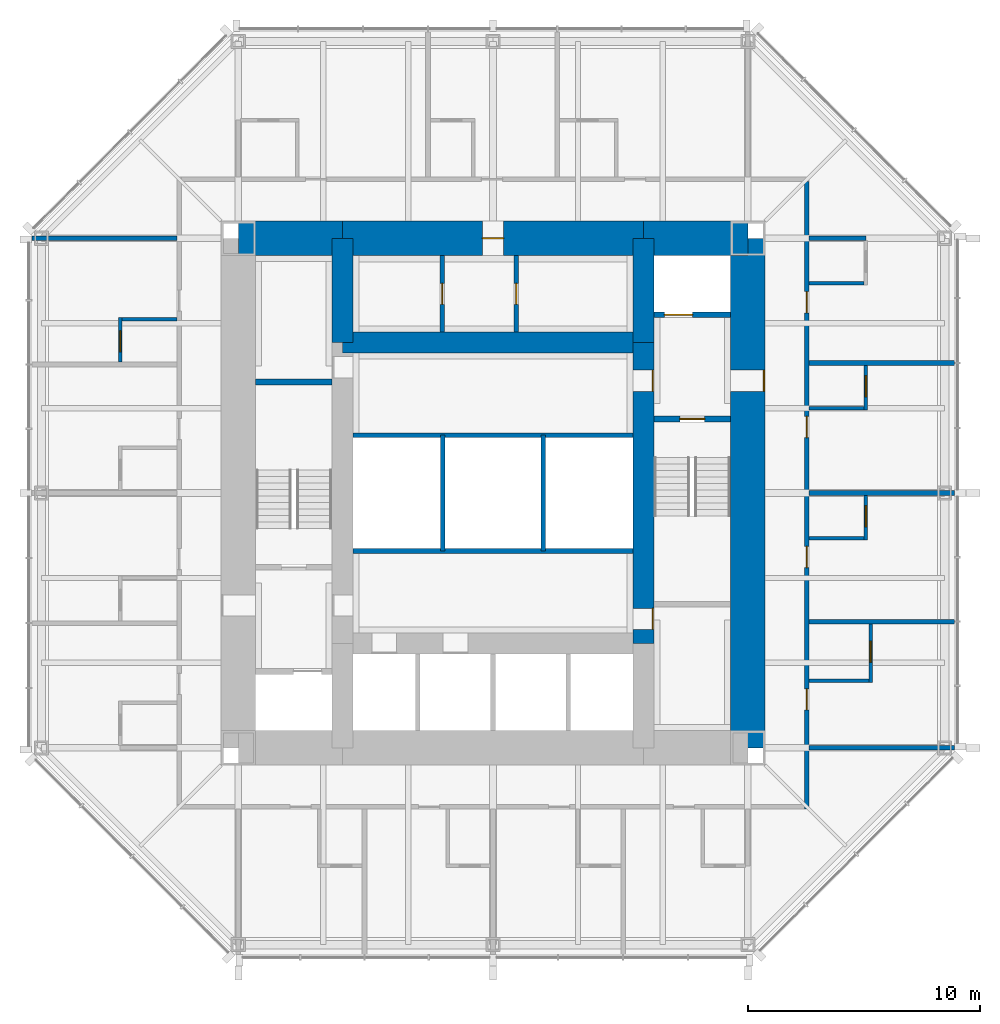
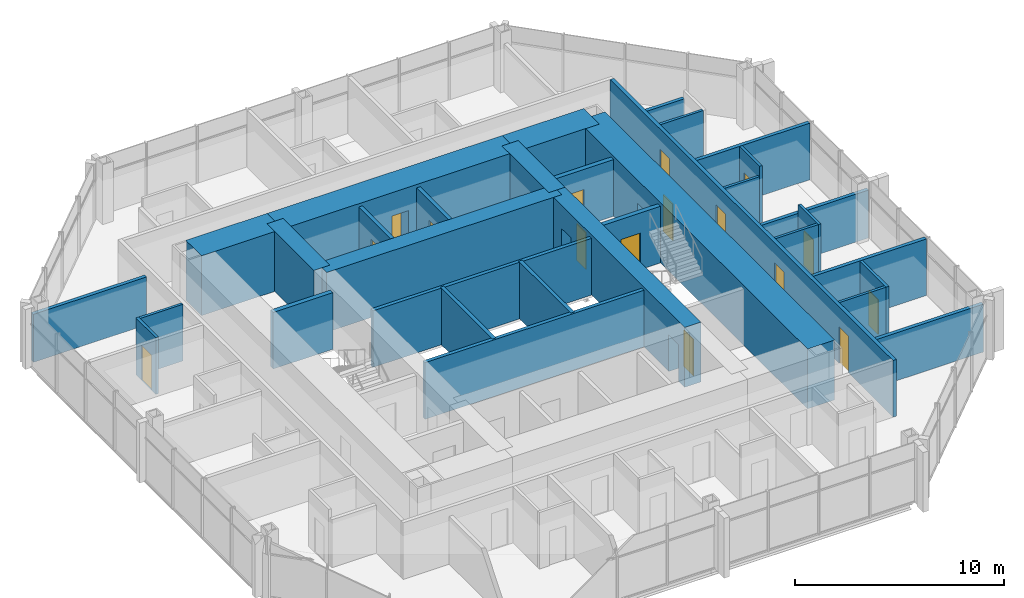
# One storey, part 9 of 12: 33 walls, 16 doors, 16 openings.
"""IFC4 building model written with IfcOpenShell, lengths in metres."""

from ifc_helpers import new_model, si_unit, direction, frame, frame_2d, origin, place, context, subcontext, project, spatial, rectangle, extrude, material, layer, layer_set, type_object, element, fill, save


model = new_model("IFC4")

# Units and contexts
model_context = context("Model", 3, precision=1e-05, world=origin(), true_north=direction((0.0, 1.0)))
body_context = subcontext(model_context, "Body", "Model", "MODEL_VIEW")
ifc_project = project(units=[si_unit("LENGTHUNIT", "METRE"), si_unit("AREAUNIT", "SQUARE_METRE"), si_unit("VOLUMEUNIT", "CUBIC_METRE"), si_unit("PLANEANGLEUNIT", "RADIAN"), si_unit("MASSUNIT", "GRAM", prefix="KILO")], contexts=[model_context])

# Site, building, storey
site_placement = place(None, origin())
site = spatial("IfcSite", under=ifc_project, at=site_placement, CompositionType="ELEMENT")
building_placement = place(site_placement, origin())
building = spatial("IfcBuilding", under=site, at=building_placement, Name="Trevanion Tower", CompositionType="ELEMENT")
storey_placement = place(building_placement, frame((0.0, 0.0, 204.699951171875)))
storey = spatial("IfcBuildingStorey", under=building, at=storey_placement, Name="L48", CompositionType="ELEMENT", Elevation=204.699951171875)

# Wall, opening, door
ifc_material_1 = material(Name="Concrete 10,000 psi", Category="concrete")
ifc_layer_1 = layer(ifc_material_1, 1.5)
ifc_layer_set_1 = layer_set([ifc_layer_1], Name="CW1 core wall 1500")
wall_type_1 = type_object("IfcWallType", Name="CW1 core wall 1500", PredefinedType="SHEAR", material=ifc_layer_set_1)
wall_1_placement = place(storey_placement, frame((11.0, -11.0, 0.0), z_axis=(0.0, 0.0, 1.0), x_axis=(0.0, 1.0, 0.0)))
wall_1 = element("IfcWall", 1, at=wall_1_placement, inside=storey, type_object=wall_type_1, Name="CW1 CE L48", PredefinedType="SHEAR", context=body_context, shape_type="SweptSolid", body=[
    extrude(rectangle(XDim=22.0, YDim=1.5, at=frame_2d((11.0, 0.0))), origin(), (0.0, 0.0, 1.0), 3.5),
])
opening_1_placement = place(wall_1_placement, frame((15.392578125, 0.0, 0.0)))
opening_1 = element("IfcOpeningElement", 2, at=opening_1_placement, cuts=wall_1, Name="Opening 48-001", PredefinedType="OPENING", context=body_context, shape_type="SweptSolid", body=[
    extrude(rectangle(XDim=0.9150390625, YDim=2.134033203125, at=frame_2d((0.45751953125, 1.06689453125))), frame((0.0, 0.760009765625, 0.0), z_axis=(0.0, -1.0, 0.0), x_axis=(1.0, 0.0, 0.0)), (0.0, 0.0, 1.0), 1.52001953125),
])
ifc_material_2 = material(Name="Hollow metal, fire rated", Category="steel")
door_type_1 = type_object("IfcDoorType", Name="D3 fire lift lobby door", OperationType="SINGLE_SWING_RIGHT", PredefinedType="DOOR", material=ifc_material_2)
door_1_placement = place(opening_1_placement, origin())
door_1 = element("IfcDoor", 3, at=door_1_placement, inside=storey, type_object=door_type_1, Name="Door 48-001", OperationType="SINGLE_SWING_RIGHT", OverallHeight=2.134033203125, OverallWidth=0.9150390625, PredefinedType="DOOR", context=body_context, shape_type="SweptSolid", body=[
    extrude(rectangle(XDim=0.9150390625, YDim=2.134033203125, at=frame_2d((0.45751953125, 1.06689453125))), frame((0.0, -0.6748046875, 0.0), z_axis=(0.0, -1.0, 0.0), x_axis=(1.0, 0.0, 0.0)), (0.0, 0.0, 1.0), 0.050048828125),
])
fill(opening_1, door_1)

# Wall
wall_2_placement = place(storey_placement, frame((11.0, 11.0, 0.0), z_axis=(0.0, 0.0, 1.0), x_axis=(-1.0, 0.0, 0.0)))
element("IfcWall", 4, at=wall_2_placement, inside=storey, type_object=wall_type_1, Name="CW1 CN1 L48", PredefinedType="SHEAR", context=body_context, shape_type="SweptSolid", body=[
    extrude(rectangle(XDim=4.5, YDim=1.5, at=frame_2d((2.25, 0.0))), origin(), (0.0, 0.0, 1.0), 3.5),
])

# Wall, opening, door
wall_3_placement = place(storey_placement, frame((6.5, 11.0, 0.0), z_axis=(0.0, 0.0, 1.0), x_axis=(-1.0, 0.0, 0.0)))
wall_3 = element("IfcWall", 5, at=wall_3_placement, inside=storey, type_object=wall_type_1, Name="CW1 CN2 L48", PredefinedType="SHEAR", context=body_context, shape_type="SweptSolid", body=[
    extrude(rectangle(XDim=13.0, YDim=1.5, at=frame_2d((6.5, 0.0))), origin(), (0.0, 0.0, 1.0), 3.5),
])
opening_2_placement = place(wall_3_placement, frame((6.04248046875, 0.0, 0.0)))
opening_2 = element("IfcOpeningElement", 6, at=opening_2_placement, cuts=wall_3, Name="Opening 48-013", PredefinedType="OPENING", context=body_context, shape_type="SweptSolid", body=[
    extrude(rectangle(XDim=0.9150390625, YDim=2.134033203125, at=frame_2d((0.45751953125, 1.06689453125))), frame((0.0, 0.760009765625, 0.0), z_axis=(0.0, -1.0, 0.0), x_axis=(1.0, 0.0, 0.0)), (0.0, 0.0, 1.0), 1.52001953125),
])
ifc_material_3 = material(Name="Hollow metal, fire rated", Category="steel")
door_type_2 = type_object("IfcDoorType", Name="D5 service room door", OperationType="SINGLE_SWING_RIGHT", PredefinedType="DOOR", material=ifc_material_3)
door_2_placement = place(opening_2_placement, origin())
door_2 = element("IfcDoor", 7, at=door_2_placement, inside=storey, type_object=door_type_2, Name="Door 48-013", OperationType="SINGLE_SWING_RIGHT", OverallHeight=2.134033203125, OverallWidth=0.9150390625, PredefinedType="DOOR", context=body_context, shape_type="SweptSolid", body=[
    extrude(rectangle(XDim=0.9150390625, YDim=2.134033203125, at=frame_2d((0.45751953125, 1.06689453125))), frame((0.0, 0.02490234375, 0.0), z_axis=(0.0, -1.0, 0.0), x_axis=(1.0, 0.0, 0.0)), (0.0, 0.0, 1.0), 0.050048828125),
])
fill(opening_2, door_2)

# Wall
wall_4_placement = place(storey_placement, frame((-6.5, 11.0, 0.0), z_axis=(0.0, 0.0, 1.0), x_axis=(-1.0, 0.0, 0.0)))
element("IfcWall", 8, at=wall_4_placement, inside=storey, type_object=wall_type_1, Name="CW1 CN3 L48", PredefinedType="SHEAR", context=body_context, shape_type="SweptSolid", body=[
    extrude(rectangle(XDim=4.5, YDim=1.5, at=frame_2d((2.25, 0.0))), origin(), (0.0, 0.0, 1.0), 3.5),
])

# Wall, openings, doors
ifc_material_4 = material(Name="Concrete 10,000 psi", Category="concrete")
ifc_layer_2 = layer(ifc_material_4, 0.89990234375)
ifc_layer_set_2 = layer_set([ifc_layer_2], Name="CW2 core wall 900")
wall_type_2 = type_object("IfcWallType", Name="CW2 core wall 900", PredefinedType="SHEAR", material=ifc_layer_set_2)
wall_5_placement = place(storey_placement, frame((6.5, -6.5, 0.0), z_axis=(0.0, 0.0, 1.0), x_axis=(0.0, 1.0, 0.0)))
wall_5 = element("IfcWall", 9, at=wall_5_placement, inside=storey, type_object=wall_type_2, Name="CW2 RE2 L48", PredefinedType="SHEAR", context=body_context, shape_type="SweptSolid", body=[
    extrude(rectangle(XDim=13.0, YDim=0.89990234375, at=frame_2d((6.5, 0.0))), origin(), (0.0, 0.0, 1.0), 3.5),
])
opening_3_placement = place(wall_5_placement, frame((10.892578125, 0.0, 0.0)))
opening_3 = element("IfcOpeningElement", 10, at=opening_3_placement, cuts=wall_5, Name="Opening 48-003", PredefinedType="OPENING", context=body_context, shape_type="SweptSolid", body=[
    extrude(rectangle(XDim=0.9150390625, YDim=2.134033203125, at=frame_2d((0.45751953125, 1.06689453125))), frame((0.0, 0.4599609375, 0.0), z_axis=(0.0, -1.0, 0.0), x_axis=(1.0, 0.0, 0.0)), (0.0, 0.0, 1.0), 0.919921875),
])
opening_4_placement = place(wall_5_placement, frame((0.610107421875, 0.0, 0.0)))
opening_4 = element("IfcOpeningElement", 11, at=opening_4_placement, cuts=wall_5, Name="Opening 48-009", PredefinedType="OPENING", context=body_context, shape_type="SweptSolid", body=[
    extrude(rectangle(XDim=0.9150390625, YDim=2.134033203125, at=frame_2d((0.45751953125, 1.06689453125))), frame((0.0, 0.4599609375, 0.0), z_axis=(0.0, -1.0, 0.0), x_axis=(1.0, 0.0, 0.0)), (0.0, 0.0, 1.0), 0.919921875),
])
door_3_placement = place(opening_3_placement, origin())
door_3 = element("IfcDoor", 12, at=door_3_placement, inside=storey, type_object=door_type_1, Name="Door 48-003", OperationType="SINGLE_SWING_RIGHT", OverallHeight=2.134033203125, OverallWidth=0.9150390625, PredefinedType="DOOR", context=body_context, shape_type="SweptSolid", body=[
    extrude(rectangle(XDim=0.9150390625, YDim=2.134033203125, at=frame_2d((0.45751953125, 1.06689453125))), frame((0.0, -0.375, 0.0), z_axis=(0.0, -1.0, 0.0), x_axis=(1.0, 0.0, 0.0)), (0.0, 0.0, 1.0), 0.050048828125),
])
fill(opening_3, door_3)
door_4_placement = place(opening_4_placement, origin())
door_4 = element("IfcDoor", 13, at=door_4_placement, inside=storey, type_object=door_type_2, Name="Door 48-009", OperationType="SINGLE_SWING_RIGHT", OverallHeight=2.134033203125, OverallWidth=0.9150390625, PredefinedType="DOOR", context=body_context, shape_type="SweptSolid", body=[
    extrude(rectangle(XDim=0.9150390625, YDim=2.134033203125, at=frame_2d((0.45751953125, 1.06689453125))), frame((0.0, -0.375, 0.0), z_axis=(0.0, -1.0, 0.0), x_axis=(1.0, 0.0, 0.0)), (0.0, 0.0, 1.0), 0.050048828125),
])
fill(opening_4, door_4)

# Walls
for number, where, z_axis, x_axis, name in (
    (14, (6.5, 6.5, 0.0), (0.0, 0.0, 1.0), (0.0, 1.0, 0.0), "CW2 RE3 L48"),
    (15, (-6.5, 11.0, 0.0), (0.0, 0.0, 1.0), (0.0, -1.0, 0.0), "CW2 RW1 L48"),
):
    element("IfcWall", number, at=place(storey_placement, frame(where, z_axis=z_axis, x_axis=x_axis)), inside=storey, type_object=wall_type_2, Name=name, PredefinedType="SHEAR", context=body_context, shape_type="SweptSolid", body=[
        extrude(rectangle(XDim=4.5, YDim=0.89990234375, at=frame_2d((2.25, 0.0))), origin(), (0.0, 0.0, 1.0), 3.5),
    ])
wall_6_placement = place(storey_placement, frame((6.5, 6.5, 0.0), z_axis=(0.0, 0.0, 1.0), x_axis=(-1.0, 0.0, 0.0)))
element("IfcWall", 16, at=wall_6_placement, inside=storey, type_object=wall_type_2, Name="CW2 RN L48", PredefinedType="SHEAR", context=body_context, shape_type="SweptSolid", body=[
    extrude(rectangle(XDim=13.0, YDim=0.89990234375, at=frame_2d((6.5, 0.0))), origin(), (0.0, 0.0, 1.0), 3.5),
])

# Wall, opening, door
ifc_material_5 = material(Name="Gypsum board on steel studs", Category="steel")
ifc_layer_3 = layer(ifc_material_5, 0.14990234375)
ifc_layer_set_3 = layer_set([ifc_layer_3], Name="PT1 partition 150")
wall_type_3 = type_object("IfcWallType", Name="PT1 partition 150", PredefinedType="PARTITIONING", material=ifc_layer_set_3)
wall_7_placement = place(storey_placement, frame((16.300048828125, -8.174072265625, 0.0), z_axis=(0.0, 0.0, 1.0), x_axis=(0.0, 1.0, 0.0)))
wall_7 = element("IfcWall", 17, at=wall_7_placement, inside=storey, type_object=wall_type_3, Name="PT1 L48 BA00", PredefinedType="PARTITIONING", context=body_context, shape_type="SweptSolid", body=[
    extrude(rectangle(XDim=2.525146484375, YDim=0.14990234375, at=frame_2d((1.2626953125, 0.0))), origin(), (0.0, 0.0, 1.0), 3.31005859375),
])
opening_5_placement = place(wall_7_placement, frame((0.867431640625, 0.0, 0.0)))
opening_5 = element("IfcOpeningElement", 18, at=opening_5_placement, cuts=wall_7, Name="Opening 48-016", PredefinedType="OPENING", context=body_context, shape_type="SweptSolid", body=[
    extrude(rectangle(XDim=0.9150390625, YDim=2.031982421875, at=frame_2d((0.45751953125, 1.01611328125))), frame((0.0, 0.0849609375, 0.0), z_axis=(0.0, -1.0, 0.0), x_axis=(1.0, 0.0, 0.0)), (0.0, 0.0, 1.0), 0.169921875),
])
ifc_material_6 = material(Name="Timber veneer", Category="wood")
door_type_3 = type_object("IfcDoorType", Name="D7 bathroom door", OperationType="SINGLE_SWING_LEFT", PredefinedType="DOOR", material=ifc_material_6)
door_5_placement = place(opening_5_placement, origin())
door_5 = element("IfcDoor", 19, at=door_5_placement, inside=storey, type_object=door_type_3, Name="Door 48-016", OperationType="SINGLE_SWING_LEFT", OverallHeight=2.031982421875, OverallWidth=0.9150390625, PredefinedType="DOOR", context=body_context, shape_type="SweptSolid", body=[
    extrude(rectangle(XDim=0.9150390625, YDim=2.031982421875, at=frame_2d((0.45751953125, 1.01611328125))), frame((0.0, 0.02490234375, 0.0), z_axis=(0.0, -1.0, 0.0), x_axis=(1.0, 0.0, 0.0)), (0.0, 0.0, 1.0), 0.050048828125),
])
fill(opening_5, door_5)

# Wall
wall_8_placement = place(storey_placement, frame((13.64990234375, -8.09912109375, 0.0), z_axis=(0.0, 0.0, 1.0), x_axis=(1.0, 0.0, 0.0)))
element("IfcWall", 20, at=wall_8_placement, inside=storey, type_object=wall_type_3, Name="PT1 L48 BB00", PredefinedType="PARTITIONING", context=body_context, shape_type="SweptSolid", body=[
    extrude(rectangle(XDim=2.5751953125, YDim=0.14990234375, at=frame_2d((1.28759765625, 0.0))), origin(), (0.0, 0.0, 1.0), 3.31005859375),
])

# Wall, opening, door
wall_9_placement = place(storey_placement, frame((16.10009765625, -2.02490234375, 0.0), z_axis=(0.0, 0.0, 1.0), x_axis=(0.0, 1.0, 0.0)))
wall_9 = element("IfcWall", 21, at=wall_9_placement, inside=storey, type_object=wall_type_3, Name="PT1 L48 BA01", PredefinedType="PARTITIONING", context=body_context, shape_type="SweptSolid", body=[
    extrude(rectangle(XDim=1.9248046875, YDim=0.14990234375, at=frame_2d((0.96240234375, 0.0))), origin(), (0.0, 0.0, 1.0), 3.31005859375),
])
opening_6_placement = place(wall_9_placement, frame((0.5673828125, 0.0, 0.0)))
opening_6 = element("IfcOpeningElement", 22, at=opening_6_placement, cuts=wall_9, Name="Opening 48-018", PredefinedType="OPENING", context=body_context, shape_type="SweptSolid", body=[
    extrude(rectangle(XDim=0.9150390625, YDim=2.031982421875, at=frame_2d((0.45751953125, 1.01611328125))), frame((0.0, 0.0849609375, 0.0), z_axis=(0.0, -1.0, 0.0), x_axis=(1.0, 0.0, 0.0)), (0.0, 0.0, 1.0), 0.169921875),
])
door_6_placement = place(opening_6_placement, origin())
door_6 = element("IfcDoor", 23, at=door_6_placement, inside=storey, type_object=door_type_3, Name="Door 48-018", OperationType="SINGLE_SWING_LEFT", OverallHeight=2.031982421875, OverallWidth=0.9150390625, PredefinedType="DOOR", context=body_context, shape_type="SweptSolid", body=[
    extrude(rectangle(XDim=0.9150390625, YDim=2.031982421875, at=frame_2d((0.45751953125, 1.01611328125))), frame((0.0, 0.02490234375, 0.0), z_axis=(0.0, -1.0, 0.0), x_axis=(1.0, 0.0, 0.0)), (0.0, 0.0, 1.0), 0.050048828125),
])
fill(opening_6, door_6)

# Wall
wall_10_placement = place(storey_placement, frame((13.64990234375, -1.949951171875, 0.0), z_axis=(0.0, 0.0, 1.0), x_axis=(1.0, 0.0, 0.0)))
element("IfcWall", 24, at=wall_10_placement, inside=storey, type_object=wall_type_3, Name="PT1 L48 BB01", PredefinedType="PARTITIONING", context=body_context, shape_type="SweptSolid", body=[
    extrude(rectangle(XDim=2.375, YDim=0.14990234375, at=frame_2d((1.1875, 0.0))), origin(), (0.0, 0.0, 1.0), 3.31005859375),
])

# Wall, opening, door
wall_11_placement = place(storey_placement, frame((16.10009765625, 3.589111328125, 0.0), z_axis=(0.0, 0.0, 1.0), x_axis=(0.0, 1.0, 0.0)))
wall_11 = element("IfcWall", 25, at=wall_11_placement, inside=storey, type_object=wall_type_3, Name="PT1 L48 BA02", PredefinedType="PARTITIONING", context=body_context, shape_type="SweptSolid", body=[
    extrude(rectangle(XDim=1.9248046875, YDim=0.14990234375, at=frame_2d((0.96240234375, 0.0))), origin(), (0.0, 0.0, 1.0), 3.31005859375),
])
opening_7_placement = place(wall_11_placement, frame((0.5673828125, 0.0, 0.0)))
opening_7 = element("IfcOpeningElement", 26, at=opening_7_placement, cuts=wall_11, Name="Opening 48-020", PredefinedType="OPENING", context=body_context, shape_type="SweptSolid", body=[
    extrude(rectangle(XDim=0.9150390625, YDim=2.031982421875, at=frame_2d((0.45751953125, 1.01611328125))), frame((0.0, 0.0849609375, 0.0), z_axis=(0.0, -1.0, 0.0), x_axis=(1.0, 0.0, 0.0)), (0.0, 0.0, 1.0), 0.169921875),
])
door_7_placement = place(opening_7_placement, origin())
door_7 = element("IfcDoor", 27, at=door_7_placement, inside=storey, type_object=door_type_3, Name="Door 48-020", OperationType="SINGLE_SWING_LEFT", OverallHeight=2.031982421875, OverallWidth=0.9150390625, PredefinedType="DOOR", context=body_context, shape_type="SweptSolid", body=[
    extrude(rectangle(XDim=0.9150390625, YDim=2.031982421875, at=frame_2d((0.45751953125, 1.01611328125))), frame((0.0, 0.02490234375, 0.0), z_axis=(0.0, -1.0, 0.0), x_axis=(1.0, 0.0, 0.0)), (0.0, 0.0, 1.0), 0.050048828125),
])
fill(opening_7, door_7)

# Walls
wall_12_placement = place(storey_placement, frame((13.64990234375, 3.6640625, 0.0), z_axis=(0.0, 0.0, 1.0), x_axis=(1.0, 0.0, 0.0)))
element("IfcWall", 28, at=wall_12_placement, inside=storey, type_object=wall_type_3, Name="PT1 L48 BB02", PredefinedType="PARTITIONING", context=body_context, shape_type="SweptSolid", body=[
    extrude(rectangle(XDim=2.375, YDim=0.14990234375, at=frame_2d((1.1875, 0.0))), origin(), (0.0, 0.0, 1.0), 2.703125),
])
wall_13_placement = place(storey_placement, frame((13.64990234375, 9.050048828125, 0.0), z_axis=(0.0, 0.0, 1.0), x_axis=(1.0, 0.0, 0.0)))
element("IfcWall", 29, at=wall_13_placement, inside=storey, type_object=wall_type_3, Name="PT1 L48 BB03", PredefinedType="PARTITIONING", context=body_context, shape_type="SweptSolid", body=[
    extrude(rectangle(XDim=2.375, YDim=0.14990234375, at=frame_2d((1.1875, 0.0))), origin(), (0.0, 0.0, 1.0), 3.31005859375),
])

# Wall, opening, door
wall_14_placement = place(storey_placement, frame((-16.10009765625, 7.573974609375, 0.0), z_axis=(0.0, 0.0, 1.0), x_axis=(0.0, -1.0, 0.0)))
wall_14 = element("IfcWall", 30, at=wall_14_placement, inside=storey, type_object=wall_type_3, Name="PT1 L48 BA20", PredefinedType="PARTITIONING", context=body_context, shape_type="SweptSolid", body=[
    extrude(rectangle(XDim=1.925048828125, YDim=0.14990234375, at=frame_2d((0.96240234375, 0.0))), origin(), (0.0, 0.0, 1.0), 3.31005859375),
])
opening_8_placement = place(wall_14_placement, frame((0.5673828125, 0.0, 0.0)))
opening_8 = element("IfcOpeningElement", 31, at=opening_8_placement, cuts=wall_14, Name="Opening 48-030", PredefinedType="OPENING", context=body_context, shape_type="SweptSolid", body=[
    extrude(rectangle(XDim=0.9150390625, YDim=2.031982421875, at=frame_2d((0.45751953125, 1.01611328125))), frame((0.0, 0.0849609375, 0.0), z_axis=(0.0, -1.0, 0.0), x_axis=(1.0, 0.0, 0.0)), (0.0, 0.0, 1.0), 0.169921875),
])
door_8_placement = place(opening_8_placement, origin())
door_8 = element("IfcDoor", 32, at=door_8_placement, inside=storey, type_object=door_type_3, Name="Door 48-030", OperationType="SINGLE_SWING_LEFT", OverallHeight=2.031982421875, OverallWidth=0.9150390625, PredefinedType="DOOR", context=body_context, shape_type="SweptSolid", body=[
    extrude(rectangle(XDim=0.9150390625, YDim=2.031982421875, at=frame_2d((0.45751953125, 1.01611328125))), frame((0.0, 0.02490234375, 0.0), z_axis=(0.0, -1.0, 0.0), x_axis=(1.0, 0.0, 0.0)), (0.0, 0.0, 1.0), 0.050048828125),
])
fill(opening_8, door_8)

# Walls
wall_15_placement = place(storey_placement, frame((-13.64990234375, 7.4990234375, 0.0), z_axis=(0.0, 0.0, 1.0), x_axis=(-1.0, 0.0, 0.0)))
element("IfcWall", 33, at=wall_15_placement, inside=storey, type_object=wall_type_3, Name="PT1 L48 BB20", PredefinedType="PARTITIONING", context=body_context, shape_type="SweptSolid", body=[
    extrude(rectangle(XDim=2.375, YDim=0.14990234375, at=frame_2d((1.1875, 0.0))), origin(), (0.0, 0.0, 1.0), 3.31005859375),
])
ifc_material_7 = material(Name="Concrete masonry, grouted", Category="masonry")
ifc_layer_4 = layer(ifc_material_7, 0.199951171875)
ifc_layer_set_4 = layer_set([ifc_layer_4], Name="PT2 partition 200 1 HR")
wall_type_4 = type_object("IfcWallType", Name="PT2 partition 200 1 HR", PredefinedType="PARTITIONING", material=ifc_layer_set_4)
for number, where, z_axis, x_axis, name in (
    (34, (-6.050048828125, 2.5, 0.0), (0.0, 0.0, 1.0), (1.0, 0.0, 0.0), "PT2 L48 CP1"),
    (35, (6.050048828125, -2.5, 0.0), (0.0, 0.0, 1.0), (-1.0, 0.0, 0.0), "PT2 L48 CP2"),
):
    element("IfcWall", number, at=place(storey_placement, frame(where, z_axis=z_axis, x_axis=x_axis)), inside=storey, type_object=wall_type_4, Name=name, PredefinedType="PARTITIONING", context=body_context, shape_type="SweptSolid", body=[
        extrude(rectangle(XDim=12.10009765625, YDim=0.199951171875, at=frame_2d((6.050048828125, 0.0))), origin(), (0.0, 0.0, 1.0), 3.31005859375),
    ])

# Wall, opening, door
wall_16_placement = place(storey_placement, frame((-2.199951171875, 6.949951171875, 0.0), z_axis=(0.0, 0.0, 1.0), x_axis=(0.0, 1.0, 0.0)))
wall_16 = element("IfcWall", 36, at=wall_16_placement, inside=storey, type_object=wall_type_4, Name="PT2 L48 HKP1", PredefinedType="PARTITIONING", context=body_context, shape_type="SweptSolid", body=[
    extrude(rectangle(XDim=3.300048828125, YDim=0.199951171875, at=frame_2d((1.64990234375, 0.0))), origin(), (0.0, 0.0, 1.0), 3.31005859375),
])
opening_9_placement = place(wall_16_placement, frame((1.1923828125, 0.0, 0.0)))
opening_9 = element("IfcOpeningElement", 37, at=opening_9_placement, cuts=wall_16, Name="Opening 48-014", PredefinedType="OPENING", context=body_context, shape_type="SweptSolid", body=[
    extrude(rectangle(XDim=0.9150390625, YDim=2.134033203125, at=frame_2d((0.45751953125, 1.06689453125))), frame((0.0, 0.10986328125, 0.0), z_axis=(0.0, -1.0, 0.0), x_axis=(1.0, 0.0, 0.0)), (0.0, 0.0, 1.0), 0.219970703125),
])
door_9_placement = place(opening_9_placement, origin())
door_9 = element("IfcDoor", 38, at=door_9_placement, inside=storey, type_object=door_type_2, Name="Door 48-014", OperationType="SINGLE_SWING_RIGHT", OverallHeight=2.134033203125, OverallWidth=0.9150390625, PredefinedType="DOOR", context=body_context, shape_type="SweptSolid", body=[
    extrude(rectangle(XDim=0.9150390625, YDim=2.134033203125, at=frame_2d((0.45751953125, 1.06689453125))), frame((0.0, 0.02490234375, 0.0), z_axis=(0.0, -1.0, 0.0), x_axis=(1.0, 0.0, 0.0)), (0.0, 0.0, 1.0), 0.050048828125),
])
fill(opening_9, door_9)

wall_17_placement = place(storey_placement, frame((1.0, 6.949951171875, 0.0), z_axis=(0.0, 0.0, 1.0), x_axis=(0.0, 1.0, 0.0)))
wall_17 = element("IfcWall", 39, at=wall_17_placement, inside=storey, type_object=wall_type_4, Name="PT2 L48 HKP2", PredefinedType="PARTITIONING", context=body_context, shape_type="SweptSolid", body=[
    extrude(rectangle(XDim=3.300048828125, YDim=0.199951171875, at=frame_2d((1.64990234375, 0.0))), origin(), (0.0, 0.0, 1.0), 3.31005859375),
])
opening_10_placement = place(wall_17_placement, frame((1.1923828125, 0.0, 0.0)))
opening_10 = element("IfcOpeningElement", 40, at=opening_10_placement, cuts=wall_17, Name="Opening 48-015", PredefinedType="OPENING", context=body_context, shape_type="SweptSolid", body=[
    extrude(rectangle(XDim=0.9150390625, YDim=2.134033203125, at=frame_2d((0.45751953125, 1.06689453125))), frame((0.0, 0.10986328125, 0.0), z_axis=(0.0, -1.0, 0.0), x_axis=(1.0, 0.0, 0.0)), (0.0, 0.0, 1.0), 0.219970703125),
])
door_10_placement = place(opening_10_placement, origin())
door_10 = element("IfcDoor", 41, at=door_10_placement, inside=storey, type_object=door_type_2, Name="Door 48-015", OperationType="SINGLE_SWING_RIGHT", OverallHeight=2.134033203125, OverallWidth=0.9150390625, PredefinedType="DOOR", context=body_context, shape_type="SweptSolid", body=[
    extrude(rectangle(XDim=0.9150390625, YDim=2.134033203125, at=frame_2d((0.45751953125, 1.06689453125))), frame((0.0, 0.02490234375, 0.0), z_axis=(0.0, -1.0, 0.0), x_axis=(1.0, 0.0, 0.0)), (0.0, 0.0, 1.0), 0.050048828125),
])
fill(opening_10, door_10)

# Wall, openings, doors
wall_18_placement = place(storey_placement, frame((13.550048828125, -13.64990234375, 0.0), z_axis=(0.0, 0.0, 1.0), x_axis=(0.0, 1.0, 0.0)))
wall_18 = element("IfcWall", 42, at=wall_18_placement, inside=storey, type_object=wall_type_4, Name="PT2 L48 HC0", PredefinedType="PARTITIONING", context=body_context, shape_type="SweptSolid", body=[
    extrude(rectangle(XDim=27.099853515625, YDim=0.199951171875, at=frame_2d((13.5498046875, 0.0))), origin(), (0.0, 0.0, 1.0), 3.31005859375),
])
opening_11_placement = place(wall_18_placement, frame((4.283447265625, 0.0, 0.0)))
opening_11 = element("IfcOpeningElement", 43, at=opening_11_placement, cuts=wall_18, Name="Opening 48-017", PredefinedType="OPENING", context=body_context, shape_type="SweptSolid", body=[
    extrude(rectangle(XDim=0.9150390625, YDim=2.134033203125, at=frame_2d((0.45751953125, 1.06689453125))), frame((0.0, 0.10986328125, 0.0), z_axis=(0.0, -1.0, 0.0), x_axis=(1.0, 0.0, 0.0)), (0.0, 0.0, 1.0), 0.219970703125),
])
opening_12_placement = place(wall_18_placement, frame((10.4326171875, 0.0, 0.0)))
opening_12 = element("IfcOpeningElement", 44, at=opening_12_placement, cuts=wall_18, Name="Opening 48-019", PredefinedType="OPENING", context=body_context, shape_type="SweptSolid", body=[
    extrude(rectangle(XDim=0.9150390625, YDim=2.134033203125, at=frame_2d((0.45751953125, 1.06689453125))), frame((0.0, 0.10986328125, 0.0), z_axis=(0.0, -1.0, 0.0), x_axis=(1.0, 0.0, 0.0)), (0.0, 0.0, 1.0), 0.219970703125),
])
opening_13_placement = place(wall_18_placement, frame((16.04638671875, 0.0, 0.0)))
opening_13 = element("IfcOpeningElement", 45, at=opening_13_placement, cuts=wall_18, Name="Opening 48-021", PredefinedType="OPENING", context=body_context, shape_type="SweptSolid", body=[
    extrude(rectangle(XDim=0.9150390625, YDim=2.134033203125, at=frame_2d((0.45751953125, 1.06689453125))), frame((0.0, 0.10986328125, 0.0), z_axis=(0.0, -1.0, 0.0), x_axis=(1.0, 0.0, 0.0)), (0.0, 0.0, 1.0), 0.219970703125),
])
opening_14_placement = place(wall_18_placement, frame((21.4326171875, 0.0, 0.0)))
opening_14 = element("IfcOpeningElement", 46, at=opening_14_placement, cuts=wall_18, Name="Opening 48-023", PredefinedType="OPENING", context=body_context, shape_type="SweptSolid", body=[
    extrude(rectangle(XDim=0.9150390625, YDim=2.134033203125, at=frame_2d((0.45751953125, 1.06689453125))), frame((0.0, 0.10986328125, 0.0), z_axis=(0.0, -1.0, 0.0), x_axis=(1.0, 0.0, 0.0)), (0.0, 0.0, 1.0), 0.219970703125),
])
ifc_material_8 = material(Name="Timber veneer, fire rated", Category="wood")
door_type_4 = type_object("IfcDoorType", Name="D6 guest room entrance door", OperationType="SINGLE_SWING_LEFT", PredefinedType="DOOR", material=ifc_material_8)
door_11_placement = place(opening_11_placement, origin())
door_11 = element("IfcDoor", 47, at=door_11_placement, inside=storey, type_object=door_type_4, Name="Door 48-017", OperationType="SINGLE_SWING_LEFT", OverallHeight=2.134033203125, OverallWidth=0.9150390625, PredefinedType="DOOR", context=body_context, shape_type="SweptSolid", body=[
    extrude(rectangle(XDim=0.9150390625, YDim=2.134033203125, at=frame_2d((0.45751953125, 1.06689453125))), frame((0.0, 0.02490234375, 0.0), z_axis=(0.0, -1.0, 0.0), x_axis=(1.0, 0.0, 0.0)), (0.0, 0.0, 1.0), 0.050048828125),
])
fill(opening_11, door_11)
door_12_placement = place(opening_12_placement, origin())
door_12 = element("IfcDoor", 48, at=door_12_placement, inside=storey, type_object=door_type_4, Name="Door 48-019", OperationType="SINGLE_SWING_LEFT", OverallHeight=2.134033203125, OverallWidth=0.9150390625, PredefinedType="DOOR", context=body_context, shape_type="SweptSolid", body=[
    extrude(rectangle(XDim=0.9150390625, YDim=2.134033203125, at=frame_2d((0.45751953125, 1.06689453125))), frame((0.0, 0.02490234375, 0.0), z_axis=(0.0, -1.0, 0.0), x_axis=(1.0, 0.0, 0.0)), (0.0, 0.0, 1.0), 0.050048828125),
])
fill(opening_12, door_12)
door_13_placement = place(opening_13_placement, origin())
door_13 = element("IfcDoor", 49, at=door_13_placement, inside=storey, type_object=door_type_4, Name="Door 48-021", OperationType="SINGLE_SWING_LEFT", OverallHeight=2.134033203125, OverallWidth=0.9150390625, PredefinedType="DOOR", context=body_context, shape_type="SweptSolid", body=[
    extrude(rectangle(XDim=0.9150390625, YDim=2.134033203125, at=frame_2d((0.45751953125, 1.06689453125))), frame((0.0, 0.02490234375, 0.0), z_axis=(0.0, -1.0, 0.0), x_axis=(1.0, 0.0, 0.0)), (0.0, 0.0, 1.0), 0.050048828125),
])
fill(opening_13, door_13)
door_14_placement = place(opening_14_placement, origin())
door_14 = element("IfcDoor", 50, at=door_14_placement, inside=storey, type_object=door_type_4, Name="Door 48-023", OperationType="SINGLE_SWING_LEFT", OverallHeight=2.134033203125, OverallWidth=0.9150390625, PredefinedType="DOOR", context=body_context, shape_type="SweptSolid", body=[
    extrude(rectangle(XDim=0.9150390625, YDim=2.134033203125, at=frame_2d((0.45751953125, 1.06689453125))), frame((0.0, 0.02490234375, 0.0), z_axis=(0.0, -1.0, 0.0), x_axis=(1.0, 0.0, 0.0)), (0.0, 0.0, 1.0), 0.050048828125),
])
fill(opening_14, door_14)

# Walls
wall_19_placement = place(storey_placement, frame((13.64990234375, -11.0, 0.0), z_axis=(0.0, 0.0, 1.0), x_axis=(1.0, 0.0, 0.0)))
element("IfcWall", 51, at=wall_19_placement, inside=storey, type_object=wall_type_4, Name="PT2 L48 HD00", PredefinedType="PARTITIONING", context=body_context, shape_type="SweptSolid", body=[
    extrude(rectangle(XDim=6.26513671875, YDim=0.199951171875, at=frame_2d((3.132568359375, 0.0))), origin(), (0.0, 0.0, 1.0), 2.802001953125),
])
wall_20_placement = place(storey_placement, frame((13.64990234375, -5.549072265625, 0.0), z_axis=(0.0, 0.0, 1.0), x_axis=(1.0, 0.0, 0.0)))
element("IfcWall", 52, at=wall_20_placement, inside=storey, type_object=wall_type_4, Name="PT2 L48 HD01", PredefinedType="PARTITIONING", context=body_context, shape_type="SweptSolid", body=[
    extrude(rectangle(XDim=6.26513671875, YDim=0.199951171875, at=frame_2d((3.132568359375, 0.0))), origin(), (0.0, 0.0, 1.0), 3.31005859375),
])
wall_21_placement = place(storey_placement, frame((13.64990234375, 0.0, 0.0), z_axis=(0.0, 0.0, 1.0), x_axis=(1.0, 0.0, 0.0)))
element("IfcWall", 53, at=wall_21_placement, inside=storey, type_object=wall_type_4, Name="PT2 L48 HD02", PredefinedType="PARTITIONING", context=body_context, shape_type="SweptSolid", body=[
    extrude(rectangle(XDim=6.26513671875, YDim=0.199951171875, at=frame_2d((3.132568359375, 0.0))), origin(), (0.0, 0.0, 1.0), 2.802001953125),
])
wall_22_placement = place(storey_placement, frame((13.64990234375, 5.614013671875, 0.0), z_axis=(0.0, 0.0, 1.0), x_axis=(1.0, 0.0, 0.0)))
element("IfcWall", 54, at=wall_22_placement, inside=storey, type_object=wall_type_4, Name="PT2 L48 HD03", PredefinedType="PARTITIONING", context=body_context, shape_type="SweptSolid", body=[
    extrude(rectangle(XDim=6.26513671875, YDim=0.199951171875, at=frame_2d((3.132568359375, 0.0))), origin(), (0.0, 0.0, 1.0), 3.31005859375),
])
wall_23_placement = place(storey_placement, frame((13.64990234375, 11.0, 0.0), z_axis=(0.0, 0.0, 1.0), x_axis=(1.0, 0.0, 0.0)))
element("IfcWall", 55, at=wall_23_placement, inside=storey, type_object=wall_type_4, Name="PT2 L48 BC03", PredefinedType="PARTITIONING", context=body_context, shape_type="SweptSolid", body=[
    extrude(rectangle(XDim=2.4501953125, YDim=0.199951171875, at=frame_2d((1.22509765625, 0.0))), origin(), (0.0, 0.0, 1.0), 2.802001953125),
])
wall_24_placement = place(storey_placement, frame((-13.64990234375, 11.0, 0.0), z_axis=(0.0, 0.0, 1.0), x_axis=(-1.0, 0.0, 0.0)))
element("IfcWall", 56, at=wall_24_placement, inside=storey, type_object=wall_type_4, Name="PT2 L48 HD20", PredefinedType="PARTITIONING", context=body_context, shape_type="SweptSolid", body=[
    extrude(rectangle(XDim=6.26513671875, YDim=0.199951171875, at=frame_2d((3.132568359375, 0.0))), origin(), (0.0, 0.0, 1.0), 2.802001953125),
])
ifc_material_9 = material(Name="Concrete masonry, grouted", Category="masonry")
ifc_layer_5 = layer(ifc_material_9, 0.199951171875)
ifc_layer_set_5 = layer_set([ifc_layer_5], Name="PT2 partition 200 2 HR")
wall_type_5 = type_object("IfcWallType", Name="PT2 partition 200 2 HR", PredefinedType="PARTITIONING", material=ifc_layer_set_5)
for number, where, z_axis, x_axis, name in (
    (57, (-2.166748046875, -2.5, 0.0), (0.0, 0.0, 1.0), (0.0, 1.0, 0.0), "PT2 L48 MS0"),
    (58, (2.166748046875, -2.5, 0.0), (0.0, 0.0, 1.0), (0.0, 1.0, 0.0), "PT2 L48 MS1"),
):
    element("IfcWall", number, at=place(storey_placement, frame(where, z_axis=z_axis, x_axis=x_axis)), inside=storey, type_object=wall_type_5, Name=name, PredefinedType="PARTITIONING", context=body_context, shape_type="SweptSolid", body=[
        extrude(rectangle(XDim=5.0, YDim=0.199951171875, at=frame_2d((2.5, 0.0))), origin(), (0.0, 0.0, 1.0), 3.31005859375),
    ])

# Wall, opening, door
ifc_material_10 = material(Name="Concrete masonry, grouted, two-hour", Category="masonry")
ifc_layer_6 = layer(ifc_material_10, 0.25)
ifc_layer_set_6 = layer_set([ifc_layer_6], Name="PT3 partition 250 2 HR")
wall_type_6 = type_object("IfcWallType", Name="PT3 partition 250 2 HR", PredefinedType="PARTITIONING", material=ifc_layer_set_6)
wall_25_placement = place(storey_placement, frame((6.949951171875, 7.699951171875, 0.0), z_axis=(0.0, 0.0, 1.0), x_axis=(1.0, 0.0, 0.0)))
wall_25 = element("IfcWall", 59, at=wall_25_placement, inside=storey, type_object=wall_type_6, Name="PT3 L48 EP3", PredefinedType="PARTITIONING", context=body_context, shape_type="SweptSolid", body=[
    extrude(rectangle(XDim=3.300048828125, YDim=0.25, at=frame_2d((1.64990234375, 0.0))), origin(), (0.0, 0.0, 1.0), 3.31005859375),
])
opening_15_placement = place(wall_25_placement, frame((0.449951171875, 0.0, 0.0)))
opening_15 = element("IfcOpeningElement", 60, at=opening_15_placement, cuts=wall_25, Name="Opening 48-007", PredefinedType="OPENING", context=body_context, shape_type="SweptSolid", body=[
    extrude(rectangle(XDim=1.218994140625, YDim=2.134033203125, at=frame_2d((0.609375, 1.06689453125))), frame((0.0, 0.135009765625, 0.0), z_axis=(0.0, -1.0, 0.0), x_axis=(1.0, 0.0, 0.0)), (0.0, 0.0, 1.0), 0.27001953125),
])
ifc_material_11 = material(Name="Stainless steel, fire rated", Category="steel")
door_type_5 = type_object("IfcDoorType", Name="LD2 fire service lift landing door", OperationType="SLIDING_TO_LEFT", PredefinedType="DOOR", material=ifc_material_11)
door_15_placement = place(opening_15_placement, origin())
door_15 = element("IfcDoor", 61, at=door_15_placement, inside=storey, type_object=door_type_5, Name="Door 48-007", OperationType="SLIDING_TO_LEFT", OverallHeight=2.134033203125, OverallWidth=1.218994140625, PredefinedType="DOOR", context=body_context, shape_type="SweptSolid", body=[
    extrude(rectangle(XDim=1.218994140625, YDim=2.134033203125, at=frame_2d((0.609375, 1.06689453125))), frame((0.0, 0.02490234375, 0.0), z_axis=(0.0, -1.0, 0.0), x_axis=(1.0, 0.0, 0.0)), (0.0, 0.0, 1.0), 0.050048828125),
])
fill(opening_15, door_15)

# Wall
ifc_material_12 = material(Name="Reinforced masonry, fully grouted", Category="masonry")
ifc_layer_7 = layer(ifc_material_12, 0.25)
ifc_layer_set_7 = layer_set([ifc_layer_7], Name="SW1 stair shaft wall 250")
wall_type_7 = type_object("IfcWallType", Name="SW1 stair shaft wall 250", PredefinedType="SOLIDWALL", material=ifc_layer_set_7)
wall_26_placement = place(storey_placement, frame((-6.949951171875, 4.800048828125, 0.0), z_axis=(0.0, 0.0, 1.0), x_axis=(-1.0, 0.0, 0.0)))
element("IfcWall", 62, at=wall_26_placement, inside=storey, type_object=wall_type_7, Name="SW1 L48 WP1", PredefinedType="SOLIDWALL", context=body_context, shape_type="SweptSolid", body=[
    extrude(rectangle(XDim=3.300048828125, YDim=0.25, at=frame_2d((1.64990234375, 0.0))), origin(), (0.0, 0.0, 1.0), 3.31005859375),
])

# Wall, opening, door
wall_27_placement = place(storey_placement, frame((6.949951171875, 3.199951171875, 0.0), z_axis=(0.0, 0.0, 1.0), x_axis=(1.0, 0.0, 0.0)))
wall_27 = element("IfcWall", 63, at=wall_27_placement, inside=storey, type_object=wall_type_7, Name="SW1 L48 EP2", PredefinedType="SOLIDWALL", context=body_context, shape_type="SweptSolid", body=[
    extrude(rectangle(XDim=3.300048828125, YDim=0.25, at=frame_2d((1.64990234375, 0.0))), origin(), (0.0, 0.0, 1.0), 3.31005859375),
])
opening_16_placement = place(wall_27_placement, frame((1.116455078125, 0.0, 0.0)))
opening_16 = element("IfcOpeningElement", 64, at=opening_16_placement, cuts=wall_27, Name="Opening 48-005", PredefinedType="OPENING", context=body_context, shape_type="SweptSolid", body=[
    extrude(rectangle(XDim=1.06689453125, YDim=2.134033203125, at=frame_2d((0.533447265625, 1.06689453125))), frame((0.0, 0.135009765625, 0.0), z_axis=(0.0, -1.0, 0.0), x_axis=(1.0, 0.0, 0.0)), (0.0, 0.0, 1.0), 0.27001953125),
])
ifc_material_13 = material(Name="Hollow metal, fire rated", Category="steel")
door_type_6 = type_object("IfcDoorType", Name="D2 exit stair door", OperationType="SINGLE_SWING_LEFT", PredefinedType="DOOR", material=ifc_material_13)
door_16_placement = place(opening_16_placement, origin())
door_16 = element("IfcDoor", 65, at=door_16_placement, inside=storey, type_object=door_type_6, Name="Door 48-005", OperationType="SINGLE_SWING_LEFT", OverallHeight=2.134033203125, OverallWidth=1.06689453125, PredefinedType="DOOR", context=body_context, shape_type="SweptSolid", body=[
    extrude(rectangle(XDim=1.06689453125, YDim=2.134033203125, at=frame_2d((0.533447265625, 1.06689453125))), frame((0.0, 0.02490234375, 0.0), z_axis=(0.0, -1.0, 0.0), x_axis=(1.0, 0.0, 0.0)), (0.0, 0.0, 1.0), 0.050048828125),
])
fill(opening_16, door_16)

save(model, "model.ifc")
